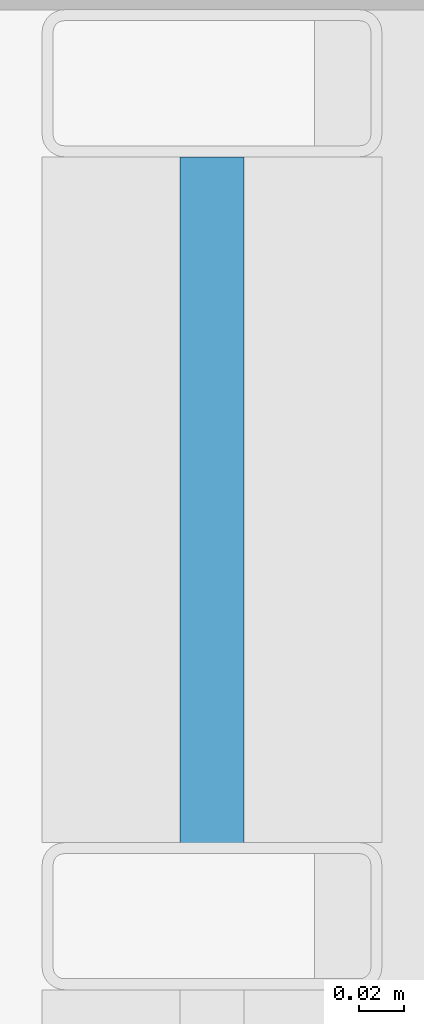
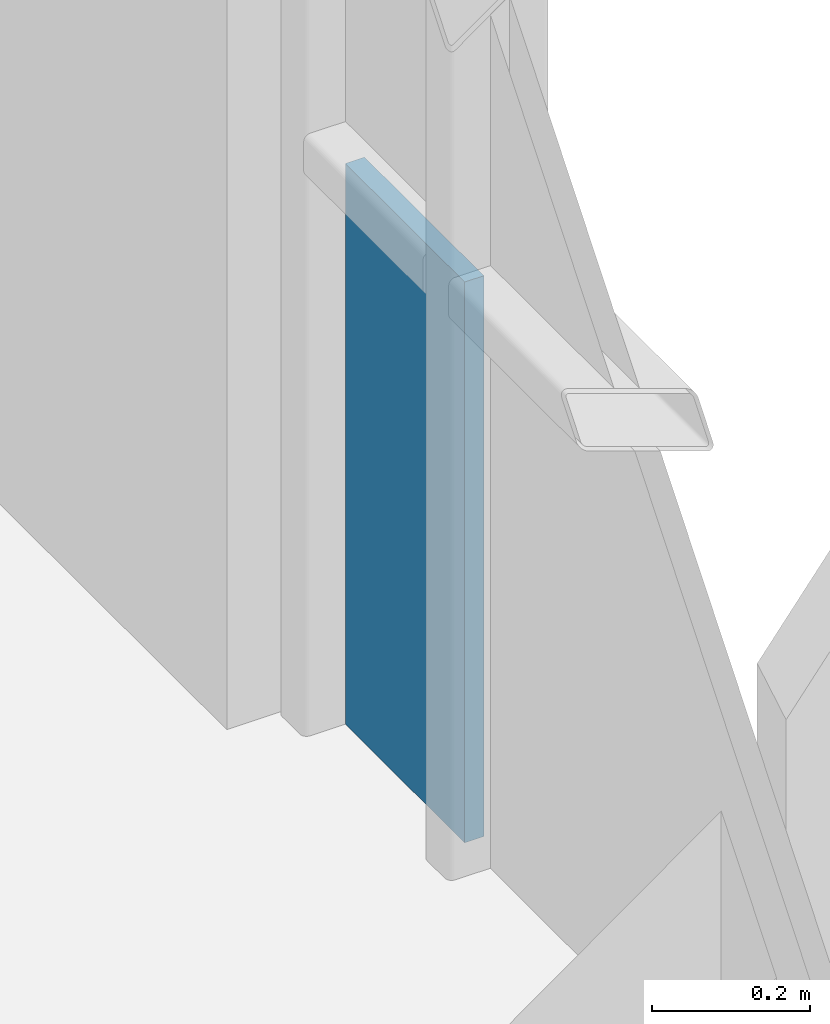
# One storey, part 28 of 38: 1 plate, 1 element without a shape of its own.
"""IFC4 building model written with IfcOpenShell, lengths in metres."""

from ifc_helpers import new_model, si_unit, direction, frame, origin, origin_2d, place, context, subcontext, project, spatial, rectangle, extrude, material, layer, layer_set, type_object, element, aggregate, save


model = new_model("IFC4")

# Units and contexts
model_context = context("Model", 3, precision=1e-05, world=origin(), true_north=direction((0.0, 1.0)))
body_context = subcontext(model_context, "Body", "Model", "MODEL_VIEW")
ifc_project = project(units=[si_unit("LENGTHUNIT", "METRE"), si_unit("AREAUNIT", "SQUARE_METRE"), si_unit("VOLUMEUNIT", "CUBIC_METRE"), si_unit("PLANEANGLEUNIT", "RADIAN"), si_unit("MASSUNIT", "GRAM", prefix="KILO")], contexts=[model_context])

# Site, building, storey
site_placement = place(None, origin())
site = spatial("IfcSite", under=ifc_project, at=site_placement, CompositionType="ELEMENT")
building_placement = place(site_placement, origin())
building = spatial("IfcBuilding", under=site, at=building_placement, Name="Brevholm Reach", CompositionType="ELEMENT")
storey_placement = place(building_placement, frame((0.0, 0.0, 166.60009765625)))
storey = spatial("IfcBuildingStorey", under=building, at=storey_placement, Name="L50", CompositionType="ELEMENT", Elevation=166.60009765625)

# Curtain wall, plate
ifc_material_1 = material(Name="Dark Anodised Aluminium 6063-T6 and Solar-Control Glass", Category="aluminium")
ifc_layer_1 = layer(ifc_material_1, 0.14990234375)
ifc_layer_set_1 = layer_set([ifc_layer_1], Name="Dark Anodised Aluminium 6063-T6 and Solar-Control Glass")
curtain_wall_type = type_object("IfcCurtainWallType", Name="CW-01", PredefinedType="NOTDEFINED", material=ifc_layer_set_1)
curtain_wall_placement = place(storey_placement, origin())
curtain_wall = element("IfcCurtainWall", 1, at=curtain_wall_placement, inside=storey, type_object=curtain_wall_type, Name="L50 Curtain Wall CW-01", PredefinedType="NOTDEFINED")
ifc_material_2 = material(Name="Dark Solar-Control Double-Glazed IGU Glass", Category="glass")
ifc_layer_2 = layer(ifc_material_2, 0.028076171875)
ifc_layer_set_2 = layer_set([ifc_layer_2], Name="Dark Solar-Control Double-Glazed IGU Glass")
plate_type = type_object("IfcPlateType", Name="CWP-GLZ-28", PredefinedType="CURTAIN_PANEL", material=ifc_layer_set_2)
plate_placement = place(storey_placement, frame((59.85009765625, 22.733642578125, 0.0), z_axis=(0.0, 0.0, 1.0), x_axis=(0.0, 1.0, 0.0)))
plate = element("IfcPlate", 2, at=plate_placement, type_object=plate_type, Name="CP-01 Glazing Panel 5.1", PredefinedType="CURTAIN_PANEL", context=body_context, shape_type="SweptSolid", body=[
    extrude(rectangle(XDim=0.302490234375, YDim=0.028076171875, at=origin_2d()), origin(), (0.0, 0.0, 1.0), 0.867431640625),
])
aggregate(curtain_wall, [plate])

save(model, "model.ifc")
